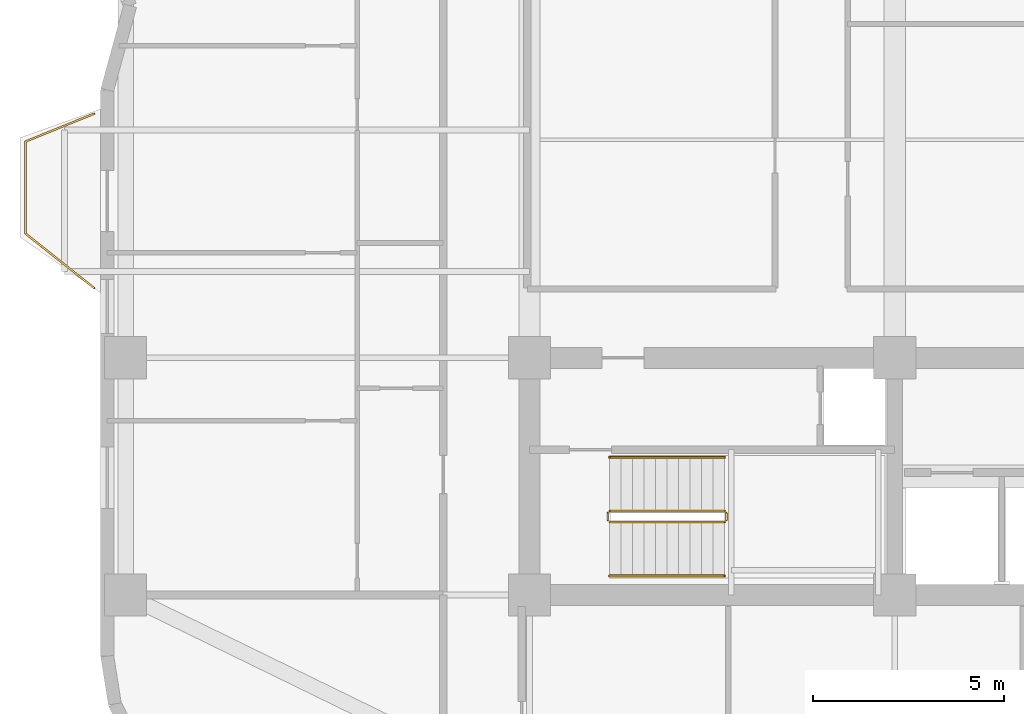
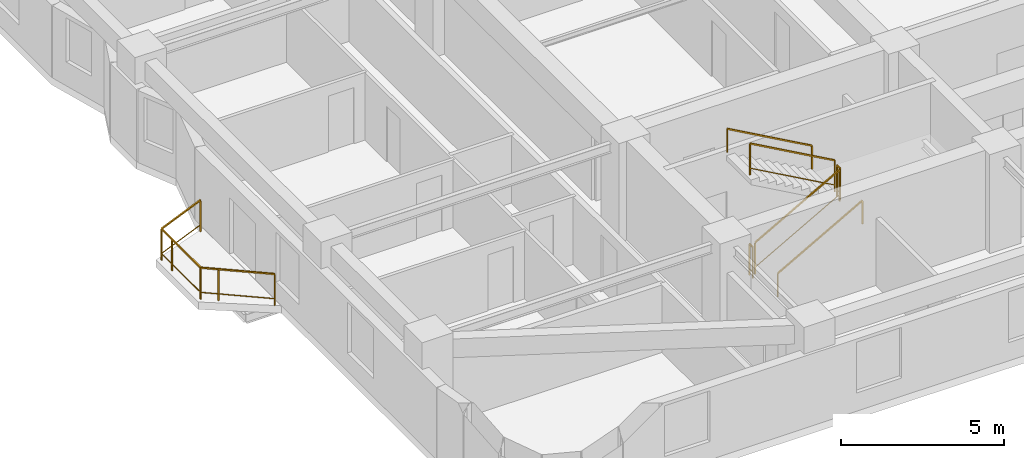
# One storey, part 8 of 9: 7 railings.
"""IFC4 building model written with IfcOpenShell, lengths in metres."""

from ifc_helpers import new_model, si_unit, direction, frame, origin, origin_2d, place, context, subcontext, project, spatial, rectangle, extrude, material, type_object, element, save


model = new_model("IFC4")

# Units and contexts
model_context = context("Model", 3, precision=1e-05, world=origin(), true_north=direction((0.0, 1.0)))
body_context = subcontext(model_context, "Body", "Model", "MODEL_VIEW")
ifc_project = project(units=[si_unit("LENGTHUNIT", "METRE"), si_unit("AREAUNIT", "SQUARE_METRE"), si_unit("VOLUMEUNIT", "CUBIC_METRE"), si_unit("PLANEANGLEUNIT", "RADIAN"), si_unit("MASSUNIT", "GRAM", prefix="KILO")], contexts=[model_context])

# Site, building, storey
site_placement = place(None, origin())
site = spatial("IfcSite", under=ifc_project, at=site_placement, CompositionType="ELEMENT")
building_placement = place(site_placement, origin())
building = spatial("IfcBuilding", under=site, at=building_placement, Name="Svetorya Sky Lyceum", CompositionType="ELEMENT")
storey_placement = place(building_placement, frame((0.0, 0.0, 88.300048828125)))
storey = spatial("IfcBuildingStorey", under=building, at=storey_placement, Name="L21", CompositionType="ELEMENT", Elevation=88.300048828125)

# Railings
ifc_material_1 = material(Name="Laminated safety glass and stainless AISI 316", Category="glass")
railing_type_1 = type_object("IfcRailingType", Name="RL-BAL-1200", PredefinedType="BALUSTRADE", material=ifc_material_1)
railing_1_placement = place(storey_placement, frame((14.22998046875, 18.6201171875, 0.0)))
element("IfcRailing", 1, at=railing_1_placement, inside=storey, type_object=railing_type_1, Name="L21 Balcony Balustrade BAL-W1", PredefinedType="BALUSTRADE", context=body_context, shape_type="SweptSolid", body=[
    extrude(rectangle(XDim=0.048095703125, YDim=0.048095703125, at=origin_2d()), frame((0.0, 0.0, 1.17578125), z_axis=(-0.783008919264, 0.622010476079, 0.0), x_axis=(-0.622010476079, -0.783008919264, 0.0)), (0.0, 0.0, 1.0), 2.298828125),
    extrude(rectangle(XDim=0.02392578125, YDim=0.02392578125, at=origin_2d()), frame((0.0, 0.0, 0.25), z_axis=(-0.783008919264, 0.622010476079, 0.0), x_axis=(-0.622010476079, -0.783008919264, 0.0)), (0.0, 0.0, 1.0), 2.298828125),
    extrude(rectangle(XDim=0.048095703125, YDim=0.048095703125, at=origin_2d()), frame((-1.800048828125, 1.429931640625, 1.17578125), z_axis=(0.0, 1.0, 0.0), x_axis=(-1.0, 0.0, 0.0)), (0.0, 0.0, 1.0), 2.39990234375),
    extrude(rectangle(XDim=0.02392578125, YDim=0.02392578125, at=origin_2d()), frame((-1.800048828125, 1.429931640625, 0.25), z_axis=(0.0, 1.0, 0.0), x_axis=(-1.0, 0.0, 0.0)), (0.0, 0.0, 1.0), 2.39990234375),
    extrude(rectangle(XDim=0.048095703125, YDim=0.048095703125, at=origin_2d()), frame((-1.800048828125, 3.829833984375, 1.17578125), z_axis=(0.926697865975, 0.375807218129, 0.0), x_axis=(-0.375807218129, 0.926697865975, 0.0)), (0.0, 0.0, 1.0), 1.9423828125),
    extrude(rectangle(XDim=0.02392578125, YDim=0.02392578125, at=origin_2d()), frame((-1.800048828125, 3.829833984375, 0.25), z_axis=(0.926697865975, 0.375807218129, 0.0), x_axis=(-0.375807218129, 0.926697865975, 0.0)), (0.0, 0.0, 1.0), 1.9423828125),
    extrude(rectangle(XDim=0.0419921875, YDim=0.0419921875, at=origin_2d()), origin(), (0.0, 0.0, 1.0), 1.15185546875),
    extrude(rectangle(XDim=0.0419921875, YDim=0.0419921875, at=origin_2d()), frame((-1.370361328125, 1.088623046875, 0.0)), (0.0, 0.0, 1.0), 1.15185546875),
    extrude(rectangle(XDim=0.0419921875, YDim=0.0419921875, at=origin_2d()), frame((-1.800048828125, 1.429931640625, 0.0)), (0.0, 0.0, 1.0), 1.15185546875),
    extrude(rectangle(XDim=0.0419921875, YDim=0.0419921875, at=origin_2d()), frame((-1.800048828125, 3.179931640625, 0.0)), (0.0, 0.0, 1.0), 1.15185546875),
    extrude(rectangle(XDim=0.0419921875, YDim=0.0419921875, at=origin_2d()), frame((-1.800048828125, 3.829833984375, 0.0)), (0.0, 0.0, 1.0), 1.15185546875),
    extrude(rectangle(XDim=0.0419921875, YDim=0.0419921875, at=origin_2d()), frame((0.0, 4.559814453125, 0.0)), (0.0, 0.0, 1.0), 1.15185546875),
])
ifc_material_2 = material(Name="Painted galvanized stair well guard")
railing_type_2 = type_object("IfcRailingType", Name="RL-STR-GUARD-1200", PredefinedType="GUARDRAIL", material=ifc_material_2)
railing_2_placement = place(storey_placement, frame((27.699951171875, 12.5, 0.168212890625)))
element("IfcRailing", 2, at=railing_2_placement, inside=storey, type_object=railing_type_2, Name="L21 ST-S stair guard 1", PredefinedType="GUARDRAIL", context=body_context, shape_type="SweptSolid", body=[
    extrude(rectangle(XDim=0.048095703125, YDim=0.048095703125, at=origin_2d()), frame((0.0, 0.0, 1.17578125), z_axis=(0.872302573547, 0.0, 0.488966481656), x_axis=(0.0, 1.0, 0.0)), (0.0, 0.0, 1.0), 3.439208984375),
    extrude(rectangle(XDim=0.02392578125, YDim=0.02392578125, at=origin_2d()), frame((0.0, 0.0, 0.25), z_axis=(0.872302573547, 0.0, 0.488966481656), x_axis=(0.0, 1.0, 0.0)), (0.0, 0.0, 1.0), 3.439208984375),
    extrude(rectangle(XDim=0.0419921875, YDim=0.0419921875, at=origin_2d()), origin(), (0.0, 0.0, 1.0), 1.15185546875),
    extrude(rectangle(XDim=0.0419921875, YDim=0.0419921875, at=origin_2d()), frame((3.0, 0.0, 1.681640625)), (0.0, 0.0, 1.0), 1.15185546875),
])
railing_3_placement = place(storey_placement, frame((30.75, 12.550048828125, 1.849853515625)))
element("IfcRailing", 3, at=railing_3_placement, inside=storey, type_object=railing_type_2, Name="L21 ST-S stair guard 2", PredefinedType="GUARDRAIL", context=body_context, shape_type="SweptSolid", body=[
    extrude(rectangle(XDim=0.048095703125, YDim=0.048095703125, at=origin_2d()), frame((0.0, 0.0, 1.17578125), z_axis=(0.0, 1.0, 0.0), x_axis=(-1.0, 0.0, 0.0)), (0.0, 0.0, 1.0), 0.199951171875),
    extrude(rectangle(XDim=0.02392578125, YDim=0.02392578125, at=origin_2d()), frame((0.0, 0.0, 0.25), z_axis=(0.0, 1.0, 0.0), x_axis=(-1.0, 0.0, 0.0)), (0.0, 0.0, 1.0), 0.199951171875),
    extrude(rectangle(XDim=0.0419921875, YDim=0.0419921875, at=origin_2d()), origin(), (0.0, 0.0, 1.0), 1.15185546875),
    extrude(rectangle(XDim=0.0419921875, YDim=0.0419921875, at=origin_2d()), frame((0.0, 0.199951171875, 0.0)), (0.0, 0.0, 1.0), 1.15185546875),
])
railing_4_placement = place(storey_placement, frame((30.699951171875, 12.800048828125, 2.01806640625)))
element("IfcRailing", 4, at=railing_4_placement, inside=storey, type_object=railing_type_2, Name="L21 ST-S stair guard 3", PredefinedType="GUARDRAIL", context=body_context, shape_type="SweptSolid", body=[
    extrude(rectangle(XDim=0.048095703125, YDim=0.048095703125, at=origin_2d()), frame((0.0, 0.0, 1.17578125), z_axis=(-0.872272294576, 0.0, 0.489020494575), x_axis=(0.0, -1.0, 0.0)), (0.0, 0.0, 1.0), 3.439208984375),
    extrude(rectangle(XDim=0.02392578125, YDim=0.02392578125, at=origin_2d()), frame((0.0, 0.0, 0.25), z_axis=(-0.872272294576, 0.0, 0.489020494575), x_axis=(0.0, -1.0, 0.0)), (0.0, 0.0, 1.0), 3.439208984375),
    extrude(rectangle(XDim=0.0419921875, YDim=0.0419921875, at=origin_2d()), origin(), (0.0, 0.0, 1.0), 1.15185546875),
    extrude(rectangle(XDim=0.0419921875, YDim=0.0419921875, at=origin_2d()), frame((-3.0, 0.0, 1.681884765625)), (0.0, 0.0, 1.0), 1.15185546875),
])
railing_5_placement = place(storey_placement, frame((27.64990234375, 12.550048828125, 0.0)))
element("IfcRailing", 5, at=railing_5_placement, inside=storey, type_object=railing_type_2, Name="L21 ST-S stair guard 4", PredefinedType="GUARDRAIL", context=body_context, shape_type="SweptSolid", body=[
    extrude(rectangle(XDim=0.048095703125, YDim=0.048095703125, at=origin_2d()), frame((0.0, 0.0, 1.17578125), z_axis=(0.0, 1.0, 0.0), x_axis=(-1.0, 0.0, 0.0)), (0.0, 0.0, 1.0), 0.199951171875),
    extrude(rectangle(XDim=0.02392578125, YDim=0.02392578125, at=origin_2d()), frame((0.0, 0.0, 0.25), z_axis=(0.0, 1.0, 0.0), x_axis=(-1.0, 0.0, 0.0)), (0.0, 0.0, 1.0), 0.199951171875),
    extrude(rectangle(XDim=0.0419921875, YDim=0.0419921875, at=origin_2d()), origin(), (0.0, 0.0, 1.0), 1.15185546875),
    extrude(rectangle(XDim=0.0419921875, YDim=0.0419921875, at=origin_2d()), frame((0.0, 0.199951171875, 0.0)), (0.0, 0.0, 1.0), 1.15185546875),
])
ifc_material_3 = material(Name="Brushed stainless AISI 304 stair handrail")
railing_type_3 = type_object("IfcRailingType", Name="RL-STR-HAND-920", PredefinedType="HANDRAIL", material=ifc_material_3)
railing_6_placement = place(storey_placement, frame((27.699951171875, 11.10009765625, 0.168212890625)))
element("IfcRailing", 6, at=railing_6_placement, inside=storey, type_object=railing_type_3, Name="L21 ST-S stair handrail 1", PredefinedType="HANDRAIL", context=body_context, shape_type="SweptSolid", body=[
    extrude(rectangle(XDim=0.048095703125, YDim=0.048095703125, at=origin_2d()), frame((0.0, 0.0, 0.8759765625), z_axis=(0.872302573547, 0.0, 0.488966481656), x_axis=(0.0, 1.0, 0.0)), (0.0, 0.0, 1.0), 3.439208984375),
    extrude(rectangle(XDim=0.0419921875, YDim=0.0419921875, at=origin_2d()), origin(), (0.0, 0.0, 1.0), 0.851806640625),
    extrude(rectangle(XDim=0.0419921875, YDim=0.0419921875, at=origin_2d()), frame((3.0, 0.0, 1.681640625)), (0.0, 0.0, 1.0), 0.851806640625),
])
railing_7_placement = place(storey_placement, frame((30.699951171875, 14.199951171875, 2.01806640625)))
element("IfcRailing", 7, at=railing_7_placement, inside=storey, type_object=railing_type_3, Name="L21 ST-S stair handrail 2", PredefinedType="HANDRAIL", context=body_context, shape_type="SweptSolid", body=[
    extrude(rectangle(XDim=0.048095703125, YDim=0.048095703125, at=origin_2d()), frame((0.0, 0.0, 0.8759765625), z_axis=(-0.872272294576, 0.0, 0.489020494575), x_axis=(0.0, -1.0, 0.0)), (0.0, 0.0, 1.0), 3.439208984375),
    extrude(rectangle(XDim=0.0419921875, YDim=0.0419921875, at=origin_2d()), origin(), (0.0, 0.0, 1.0), 0.851806640625),
    extrude(rectangle(XDim=0.0419921875, YDim=0.0419921875, at=origin_2d()), frame((-3.0, 0.0, 1.681884765625)), (0.0, 0.0, 1.0), 0.851806640625),
])

save(model, "model.ifc")
